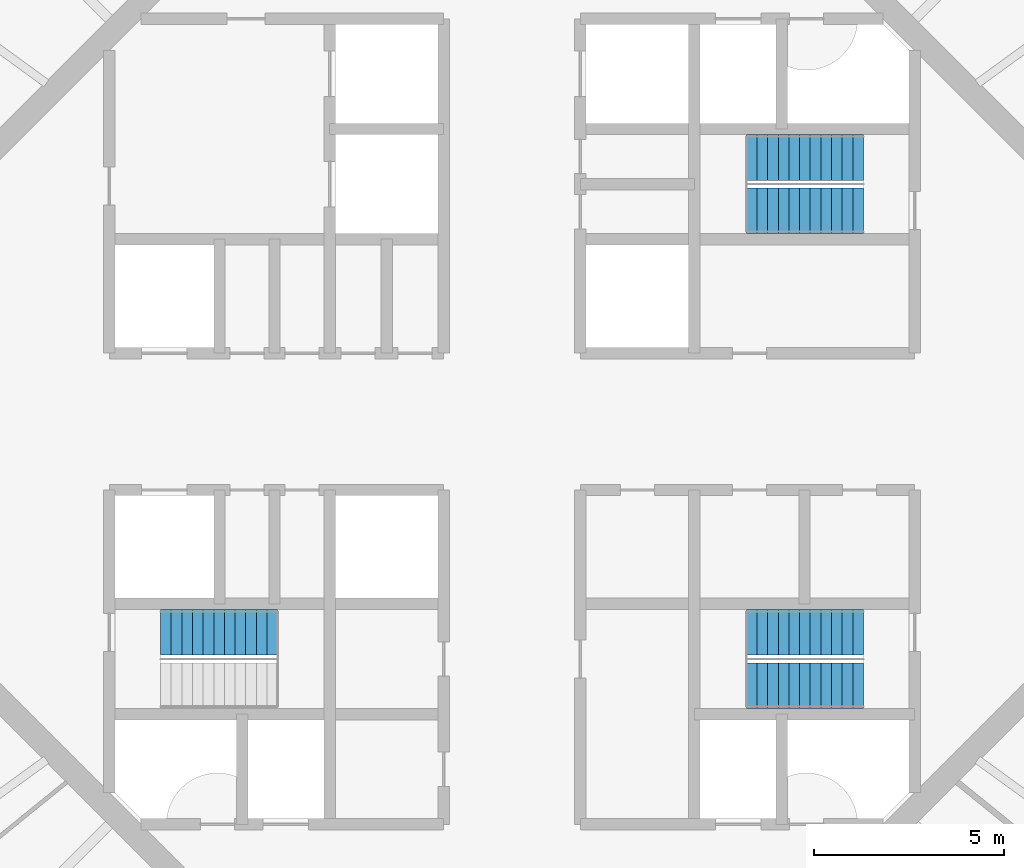
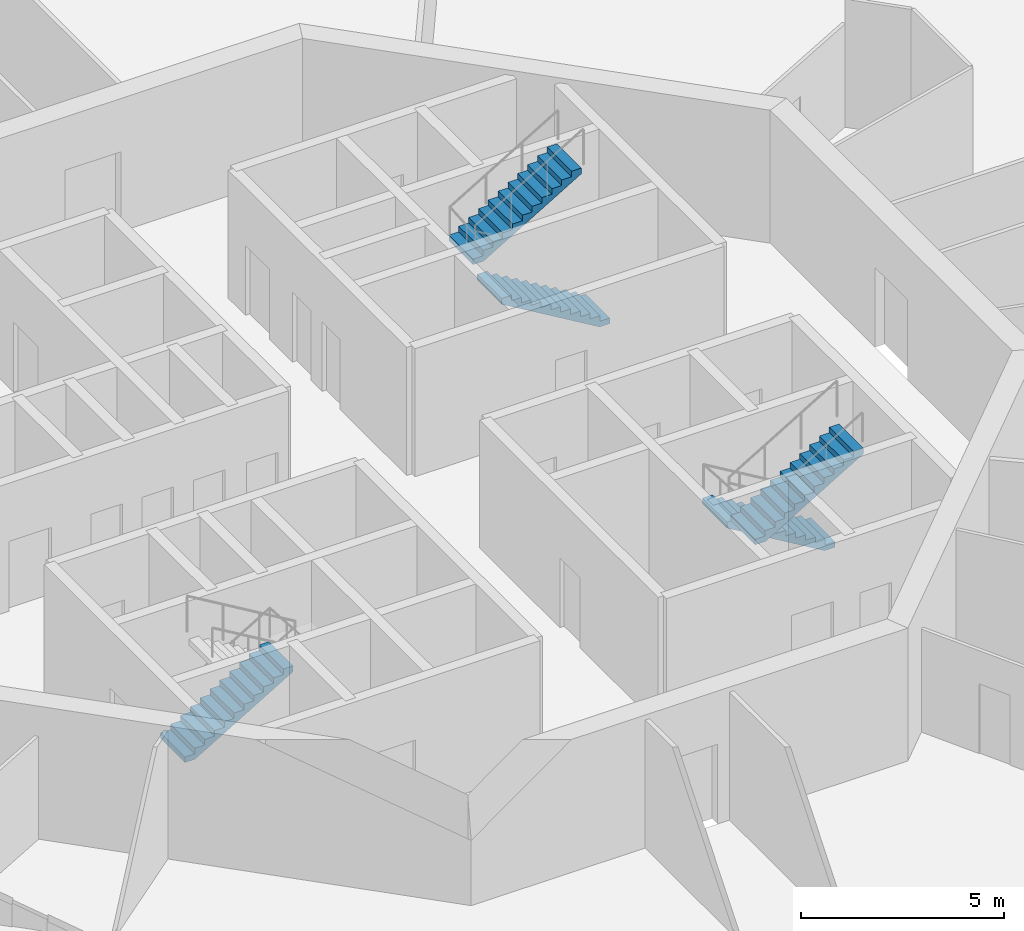
# One storey, part 6 of 18: 5 stair flights, 3 elements without a shape of their own.
"""IFC4 building model written with IfcOpenShell, lengths in metres."""

from ifc_helpers import new_model, si_unit, direction, frame, origin, place, context, subcontext, project, spatial, polyline, outline, extrude, material, type_object, element, aggregate, save


model = new_model("IFC4")

# Units and contexts
model_context = context("Model", 3, precision=1e-05, world=origin(), true_north=direction((0.0, 1.0)))
body_context = subcontext(model_context, "Body", "Model", "MODEL_VIEW")
ifc_project = project(units=[si_unit("LENGTHUNIT", "METRE"), si_unit("AREAUNIT", "SQUARE_METRE"), si_unit("VOLUMEUNIT", "CUBIC_METRE"), si_unit("PLANEANGLEUNIT", "RADIAN"), si_unit("MASSUNIT", "GRAM", prefix="KILO")], contexts=[model_context])

# Site, building, storey
site_placement = place(None, origin())
site = spatial("IfcSite", under=ifc_project, at=site_placement, CompositionType="ELEMENT")
building_placement = place(site_placement, origin())
building = spatial("IfcBuilding", under=site, at=building_placement, Name="Entoto Ring Tower", CompositionType="ELEMENT")
storey_placement = place(building_placement, frame((0.0, 0.0, 352.0)))
storey = spatial("IfcBuildingStorey", under=building, at=storey_placement, Name="L81", CompositionType="ELEMENT", Elevation=352.0)

# Stair, stair flights
ifc_material_1 = material(Name="Concrete C40/50", Category="concrete")
stair_type = type_object("IfcStairType", Name="Exit stair 1200 mm dog-leg reinforced concrete", PredefinedType="HALF_TURN_STAIR", material=ifc_material_1)
stair_1_placement = place(storey_placement, origin())
stair_1 = element("IfcStair", 1, at=stair_1_placement, inside=storey, type_object=stair_type, Name="Exit stair 1", PredefinedType="HALF_TURN_STAIR")
ifc_material_2 = material(Name="Concrete C40/50", Category="concrete")
stair_flight_type = type_object("IfcStairFlightType", Name="Stair flight 1200 mm reinforced concrete", PredefinedType="STRAIGHT", material=ifc_material_2)
stair_flight_1_placement = place(storey_placement, frame((99.25, 85.550048828125, 0.0), z_axis=(0.0, 0.0, 1.0), x_axis=(-1.0, 0.0, 0.0)))
stair_flight_1 = element("IfcStairFlight", 2, at=stair_flight_1_placement, type_object=stair_flight_type, Name="ST1 flight 1", NumberOfRisers=12, NumberOfTreads=11, PredefinedType="STRAIGHT", RiserHeight=0.166666667, TreadLength=0.28, context=body_context, shape_type="SweptSolid", body=[
    extrude(outline(polyline([(0.0, 0.0), (0.0, 0.166748046875), (0.280029296875, 0.166748046875), (0.280029296875, 0.333251953125), (0.56005859375, 0.333251953125), (0.56005859375, 0.5), (0.840087890625, 0.5), (0.840087890625, 0.666748046875), (1.1201171875, 0.666748046875), (1.1201171875, 0.833251953125), (1.39990234375, 0.833251953125), (1.39990234375, 1.0), (1.679931640625, 1.0), (1.679931640625, 1.166748046875), (1.9599609375, 1.166748046875), (1.9599609375, 1.333251953125), (2.239990234375, 1.333251953125), (2.239990234375, 1.5), (2.52001953125, 1.5), (2.52001953125, 1.666748046875), (2.800048828125, 1.666748046875), (2.800048828125, 1.833251953125), (3.080078125, 1.833251953125), (3.080078125, 2.0), (3.080078125, 1.658935546875), (0.29296875, 0.0), (0.0, 0.0)])), frame((0.0, 0.60009765625, 0.0), z_axis=(0.0, -1.0, 0.0), x_axis=(1.0, 0.0, 0.0)), (0.0, 0.0, 1.0), 1.199951171875),
])
stair_flight_2_placement = place(storey_placement, frame((96.169921875, 86.949951171875, 2.0), z_axis=(0.0, 0.0, 1.0), x_axis=(1.0, 0.0, 0.0)))
stair_flight_2 = element("IfcStairFlight", 3, at=stair_flight_2_placement, type_object=stair_flight_type, Name="ST1 flight 2", NumberOfRisers=12, NumberOfTreads=11, PredefinedType="STRAIGHT", RiserHeight=0.166666667, TreadLength=0.28, context=body_context, shape_type="SweptSolid", body=[
    extrude(outline(polyline([(0.0, 0.0), (0.0, 0.166748046875), (0.280029296875, 0.166748046875), (0.280029296875, 0.333251953125), (0.56005859375, 0.333251953125), (0.56005859375, 0.5), (0.840087890625, 0.5), (0.840087890625, 0.666748046875), (1.1201171875, 0.666748046875), (1.1201171875, 0.833251953125), (1.39990234375, 0.833251953125), (1.39990234375, 1.0), (1.679931640625, 1.0), (1.679931640625, 1.166748046875), (1.9599609375, 1.166748046875), (1.9599609375, 1.333251953125), (2.239990234375, 1.333251953125), (2.239990234375, 1.5), (2.52001953125, 1.5), (2.52001953125, 1.666748046875), (2.800048828125, 1.666748046875), (2.800048828125, 1.833251953125), (3.080078125, 1.833251953125), (3.080078125, 2.0), (3.080078125, 1.658935546875), (0.29296875, 0.0), (0.0, 0.0)])), frame((0.0, 0.60009765625, 0.0), z_axis=(0.0, -1.0, 0.0), x_axis=(1.0, 0.0, 0.0)), (0.0, 0.0, 1.0), 1.199951171875),
])
aggregate(stair_1, [stair_flight_1, stair_flight_2])

# Stair, stair flight
stair_2_placement = place(storey_placement, origin())
stair_2 = element("IfcStair", 4, at=stair_2_placement, inside=storey, type_object=stair_type, Name="Exit stair 2", PredefinedType="HALF_TURN_STAIR")
stair_flight_3_placement = place(storey_placement, frame((80.75, 74.449951171875, 0.0), z_axis=(0.0, 0.0, 1.0), x_axis=(1.0, 0.0, 0.0)))
stair_flight_3 = element("IfcStairFlight", 5, at=stair_flight_3_placement, type_object=stair_flight_type, Name="ST2 flight 1", NumberOfRisers=12, NumberOfTreads=11, PredefinedType="STRAIGHT", RiserHeight=0.166666667, TreadLength=0.28, context=body_context, shape_type="SweptSolid", body=[
    extrude(outline(polyline([(0.0, 0.0), (0.0, 0.166748046875), (0.280029296875, 0.166748046875), (0.280029296875, 0.333251953125), (0.56005859375, 0.333251953125), (0.56005859375, 0.5), (0.840087890625, 0.5), (0.840087890625, 0.666748046875), (1.1201171875, 0.666748046875), (1.1201171875, 0.833251953125), (1.39990234375, 0.833251953125), (1.39990234375, 1.0), (1.679931640625, 1.0), (1.679931640625, 1.166748046875), (1.9599609375, 1.166748046875), (1.9599609375, 1.333251953125), (2.239990234375, 1.333251953125), (2.239990234375, 1.5), (2.52001953125, 1.5), (2.52001953125, 1.666748046875), (2.800048828125, 1.666748046875), (2.800048828125, 1.833251953125), (3.080078125, 1.833251953125), (3.080078125, 2.0), (3.080078125, 1.658935546875), (0.29296875, 0.0), (0.0, 0.0)])), frame((0.0, 0.60009765625, 0.0), z_axis=(0.0, -1.0, 0.0), x_axis=(1.0, 0.0, 0.0)), (0.0, 0.0, 1.0), 1.199951171875),
])
aggregate(stair_2, [stair_flight_3])

# Stair, stair flights
stair_3_placement = place(storey_placement, origin())
stair_3 = element("IfcStair", 6, at=stair_3_placement, inside=storey, type_object=stair_type, Name="Exit stair 3", PredefinedType="HALF_TURN_STAIR")
stair_flight_4_placement = place(storey_placement, frame((99.25, 74.449951171875, 0.0), z_axis=(0.0, 0.0, 1.0), x_axis=(-1.0, 0.0, 0.0)))
stair_flight_4 = element("IfcStairFlight", 7, at=stair_flight_4_placement, type_object=stair_flight_type, Name="ST3 flight 1", NumberOfRisers=12, NumberOfTreads=11, PredefinedType="STRAIGHT", RiserHeight=0.166666667, TreadLength=0.28, context=body_context, shape_type="SweptSolid", body=[
    extrude(outline(polyline([(0.0, 0.0), (0.0, 0.166748046875), (0.280029296875, 0.166748046875), (0.280029296875, 0.333251953125), (0.56005859375, 0.333251953125), (0.56005859375, 0.5), (0.840087890625, 0.5), (0.840087890625, 0.666748046875), (1.1201171875, 0.666748046875), (1.1201171875, 0.833251953125), (1.39990234375, 0.833251953125), (1.39990234375, 1.0), (1.679931640625, 1.0), (1.679931640625, 1.166748046875), (1.9599609375, 1.166748046875), (1.9599609375, 1.333251953125), (2.239990234375, 1.333251953125), (2.239990234375, 1.5), (2.52001953125, 1.5), (2.52001953125, 1.666748046875), (2.800048828125, 1.666748046875), (2.800048828125, 1.833251953125), (3.080078125, 1.833251953125), (3.080078125, 2.0), (3.080078125, 1.658935546875), (0.29296875, 0.0), (0.0, 0.0)])), frame((0.0, 0.60009765625, 0.0), z_axis=(0.0, -1.0, 0.0), x_axis=(1.0, 0.0, 0.0)), (0.0, 0.0, 1.0), 1.199951171875),
])
stair_flight_5_placement = place(storey_placement, frame((96.169921875, 73.050048828125, 2.0), z_axis=(0.0, 0.0, 1.0), x_axis=(1.0, 0.0, 0.0)))
stair_flight_5 = element("IfcStairFlight", 8, at=stair_flight_5_placement, type_object=stair_flight_type, Name="ST3 flight 2", NumberOfRisers=12, NumberOfTreads=11, PredefinedType="STRAIGHT", RiserHeight=0.166666667, TreadLength=0.28, context=body_context, shape_type="SweptSolid", body=[
    extrude(outline(polyline([(0.0, 0.0), (0.0, 0.166748046875), (0.280029296875, 0.166748046875), (0.280029296875, 0.333251953125), (0.56005859375, 0.333251953125), (0.56005859375, 0.5), (0.840087890625, 0.5), (0.840087890625, 0.666748046875), (1.1201171875, 0.666748046875), (1.1201171875, 0.833251953125), (1.39990234375, 0.833251953125), (1.39990234375, 1.0), (1.679931640625, 1.0), (1.679931640625, 1.166748046875), (1.9599609375, 1.166748046875), (1.9599609375, 1.333251953125), (2.239990234375, 1.333251953125), (2.239990234375, 1.5), (2.52001953125, 1.5), (2.52001953125, 1.666748046875), (2.800048828125, 1.666748046875), (2.800048828125, 1.833251953125), (3.080078125, 1.833251953125), (3.080078125, 2.0), (3.080078125, 1.658935546875), (0.29296875, 0.0), (0.0, 0.0)])), frame((0.0, 0.60009765625, 0.0), z_axis=(0.0, -1.0, 0.0), x_axis=(1.0, 0.0, 0.0)), (0.0, 0.0, 1.0), 1.199951171875),
])
aggregate(stair_3, [stair_flight_4, stair_flight_5])

save(model, "model.ifc")
